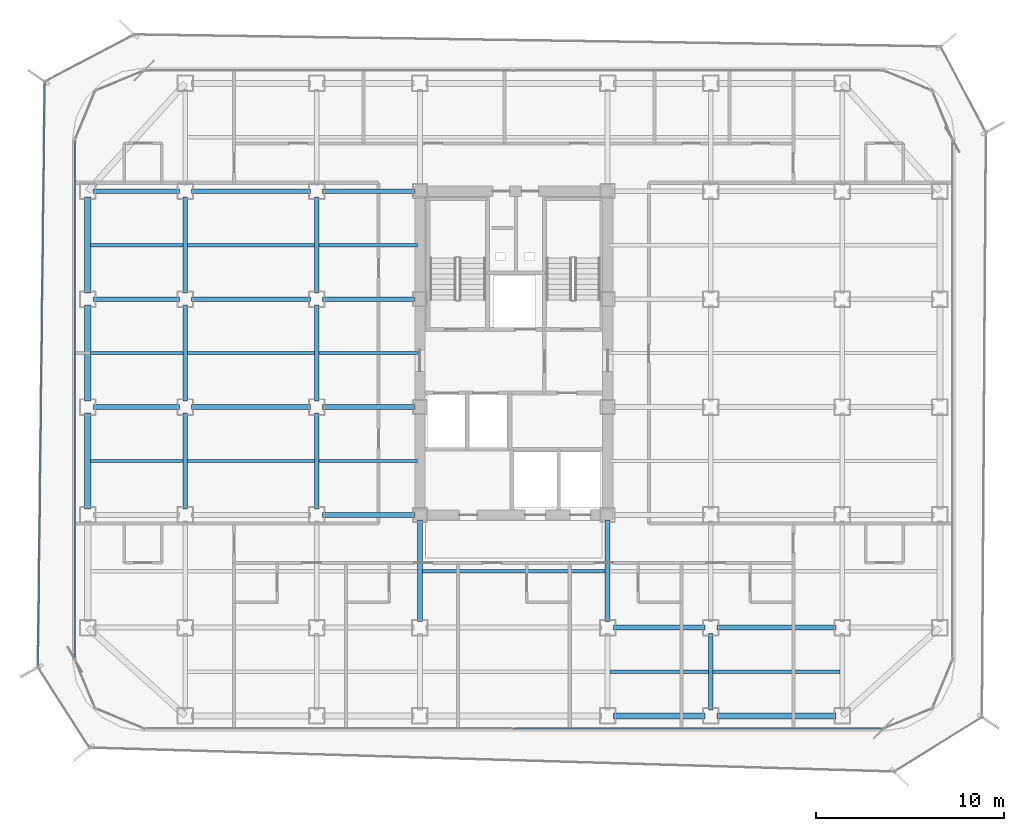
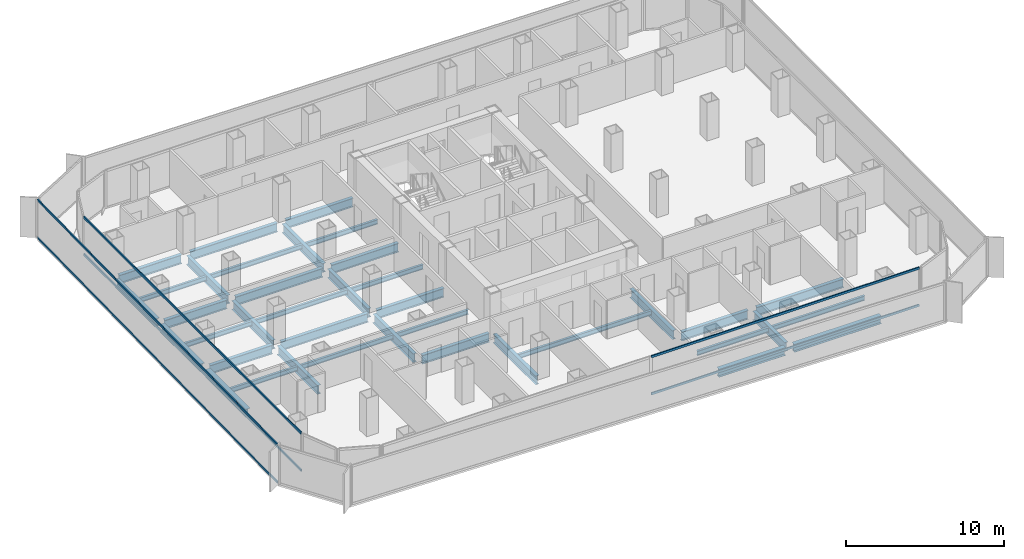
# One storey, part 5 of 21: 38 beams, 6 members, 3 elements without a shape of their own.
"""IFC4 building model written with IfcOpenShell, lengths in metres."""

from ifc_helpers import new_model, si_unit, direction, frame, origin, origin_2d, place, context, subcontext, project, spatial, hollow_rectangle, i_section, extrude, source, transform, mapped, material, layer, layer_set, material_profile, profile_set, type_object, element, aggregate, save


model = new_model("IFC4")

# Units and contexts
model_context = context("Model", 3, precision=1e-05, world=origin(), true_north=direction((0.0, 1.0)))
body_context = subcontext(model_context, "Body", "Model", "MODEL_VIEW")
ifc_project = project(units=[si_unit("LENGTHUNIT", "METRE"), si_unit("AREAUNIT", "SQUARE_METRE"), si_unit("VOLUMEUNIT", "CUBIC_METRE"), si_unit("PLANEANGLEUNIT", "RADIAN"), si_unit("MASSUNIT", "GRAM", prefix="KILO")], contexts=[model_context])

# Site, building, storey
site_placement = place(None, origin())
site = spatial("IfcSite", under=ifc_project, at=site_placement, CompositionType="ELEMENT")
building_placement = place(site_placement, origin())
building = spatial("IfcBuilding", under=site, at=building_placement, Name="Kolveth Station Tower", CompositionType="ELEMENT")
storey_placement = place(building_placement, frame((0.0, 0.0, 115.10009765625)))
storey = spatial("IfcBuildingStorey", under=building, at=storey_placement, Name="L31", CompositionType="ELEMENT", Elevation=115.10009765625)

# Beams
ifc_material_1 = material(Name="Steel S355", Category="steel")
ifc_material_profile_1 = material_profile(ifc_material_1, i_section(OverallWidth=0.323974609375, OverallDepth=0.611083984375, WebThickness=0.0126953125, FlangeThickness=0.01904296875, at=origin_2d()), Name="W610x155")
ifc_profile_set_1 = profile_set([ifc_material_profile_1], Name="Steel S355")
beam_type_1 = type_object("IfcBeamType", Name="Beam_SP2", PredefinedType="SPANDREL", material=ifc_profile_set_1)
shared_shape_1 = source(origin(), body_context, "Body", "SweptSolid", [
    extrude(i_section(OverallWidth=0.323974609375, OverallDepth=0.611083984375, WebThickness=0.0126953125, FlangeThickness=0.01904296875, at=origin_2d()), origin(), (0.0, 0.0, 1.0), 6.35986328125),
])
beam_1_placement = place(storey_placement, frame((34.320068359375, 0.800048828125, -0.5556640625), z_axis=(1.0, 0.0, 0.0), x_axis=(0.0, 1.0, 0.0)))
element("IfcBeam", 1, at=beam_1_placement, inside=storey, type_object=beam_type_1, Name="L31 Perimeter Spandrel BM-L31-PS-5", PredefinedType="SPANDREL", context=body_context, shape_type="MappedRepresentation", body=[
    mapped(shared_shape_1, transform((0.0, 0.0, 0.0), x_axis=(1.0, 0.0, 0.0), y_axis=(0.0, 1.0, 0.0), z_axis=(0.0, 0.0, 1.0), scale=1.0)),
])
shared_shape_2 = source(origin(), body_context, "Body", "SweptSolid", [
    extrude(i_section(OverallWidth=0.323974609375, OverallDepth=0.611083984375, WebThickness=0.0126953125, FlangeThickness=0.01904296875, at=origin_2d()), origin(), (0.0, 0.0, 1.0), 4.85986328125),
])
beam_2_placement = place(storey_placement, frame((28.820068359375, 0.800048828125, -0.5556640625), z_axis=(1.0, 0.0, 0.0), x_axis=(0.0, 1.0, 0.0)))
element("IfcBeam", 2, at=beam_2_placement, inside=storey, type_object=beam_type_1, Name="L31 Perimeter Spandrel BM-L31-PS-4", PredefinedType="SPANDREL", context=body_context, shape_type="MappedRepresentation", body=[
    mapped(shared_shape_2, transform((0.0, 0.0, 0.0), x_axis=(1.0, 0.0, 0.0), y_axis=(0.0, 1.0, 0.0), z_axis=(0.0, 0.0, 1.0), scale=1.0)),
])
shared_shape_3 = source(origin(), body_context, "Body", "SweptSolid", [
    extrude(i_section(OverallWidth=0.323974609375, OverallDepth=0.611083984375, WebThickness=0.0126953125, FlangeThickness=0.01904296875, at=origin_2d()), origin(), (0.0, 0.0, 1.0), 5.10986328125),
])
for number, where, z_axis, x_axis, name in (
    (3, (0.800048828125, 11.820068359375, -0.5556640625), (0.0, 1.0, 0.0), (-1.0, 0.0, 0.0), "L31 Perimeter Spandrel BM-L31-PW-2"),
    (4, (0.800048828125, 17.570068359375, -0.5556640625), (0.0, 1.0, 0.0), (-1.0, 0.0, 0.0), "L31 Perimeter Spandrel BM-L31-PW-3"),
    (5, (0.800048828125, 23.320068359375, -0.5556640625), (0.0, 1.0, 0.0), (-1.0, 0.0, 0.0), "L31 Perimeter Spandrel BM-L31-PW-4"),
):
    element("IfcBeam", number, at=place(storey_placement, frame(where, z_axis=z_axis, x_axis=x_axis)), inside=storey, type_object=beam_type_1, Name=name, PredefinedType="SPANDREL", context=body_context, shape_type="MappedRepresentation", body=[
        mapped(shared_shape_3, transform((0.0, 0.0, 0.0), x_axis=(1.0, 0.0, 0.0), y_axis=(0.0, 1.0, 0.0), z_axis=(0.0, 0.0, 1.0), scale=1.0)),
    ])
ifc_material_profile_2 = material_profile(ifc_material_1, i_section(OverallWidth=0.25390625, OverallDepth=0.68798828125, WebThickness=0.01318359375, FlangeThickness=0.02099609375, at=origin_2d()), Name="W690x152")
ifc_profile_set_2 = profile_set([ifc_material_profile_2], Name="Steel S355")
beam_type_2 = type_object("IfcBeamType", Name="Beam_B4", PredefinedType="BEAM", material=ifc_profile_set_2)
shared_shape_4 = source(origin(), body_context, "Body", "SweptSolid", [
    extrude(i_section(OverallWidth=0.25390625, OverallDepth=0.68798828125, WebThickness=0.01318359375, FlangeThickness=0.02099609375, at=origin_2d()), origin(), (0.0, 0.0, 1.0), 4.559814453125),
])
for number, where, z_axis, x_axis, name in (
    (6, (1.1201171875, 17.25, -0.593994140625), (1.0, 0.0, 0.0), (0.0, 1.0, 0.0), "L31 Primary Girder BM-L31-GY172-1"),
    (7, (1.1201171875, 23.0, -0.593994140625), (1.0, 0.0, 0.0), (0.0, 1.0, 0.0), "L31 Primary Girder BM-L31-GY230-1"),
    (8, (1.1201171875, 28.75, -0.593994140625), (1.0, 0.0, 0.0), (0.0, 1.0, 0.0), "L31 Primary Girder BM-L31-GY287-1"),
):
    element("IfcBeam", number, at=place(storey_placement, frame(where, z_axis=z_axis, x_axis=x_axis)), inside=storey, type_object=beam_type_2, Name=name, PredefinedType="BEAM", context=body_context, shape_type="MappedRepresentation", body=[
        mapped(shared_shape_4, transform((0.0, 0.0, 0.0), x_axis=(1.0, 0.0, 0.0), y_axis=(0.0, 1.0, 0.0), z_axis=(0.0, 0.0, 1.0), scale=1.0)),
    ])
shared_shape_5 = source(origin(), body_context, "Body", "SweptSolid", [
    extrude(i_section(OverallWidth=0.25390625, OverallDepth=0.68798828125, WebThickness=0.01318359375, FlangeThickness=0.02099609375, at=origin_2d()), origin(), (0.0, 0.0, 1.0), 6.35986328125),
])
for number, where, z_axis, x_axis, name in (
    (9, (34.320068359375, 5.5, -0.593994140625), (1.0, 0.0, 0.0), (0.0, 1.0, 0.0), "L31 Primary Girder BM-L31-GY55-6"),
    (10, (6.320068359375, 17.25, -0.593994140625), (1.0, 0.0, 0.0), (0.0, 1.0, 0.0), "L31 Primary Girder BM-L31-GY172-2"),
    (11, (6.320068359375, 23.0, -0.593994140625), (1.0, 0.0, 0.0), (0.0, 1.0, 0.0), "L31 Primary Girder BM-L31-GY230-2"),
    (12, (6.320068359375, 28.75, -0.593994140625), (1.0, 0.0, 0.0), (0.0, 1.0, 0.0), "L31 Primary Girder BM-L31-GY287-2"),
):
    element("IfcBeam", number, at=place(storey_placement, frame(where, z_axis=z_axis, x_axis=x_axis)), inside=storey, type_object=beam_type_2, Name=name, PredefinedType="BEAM", context=body_context, shape_type="MappedRepresentation", body=[
        mapped(shared_shape_5, transform((0.0, 0.0, 0.0), x_axis=(1.0, 0.0, 0.0), y_axis=(0.0, 1.0, 0.0), z_axis=(0.0, 0.0, 1.0), scale=1.0)),
    ])
shared_shape_6 = source(origin(), body_context, "Body", "SweptSolid", [
    extrude(i_section(OverallWidth=0.25390625, OverallDepth=0.68798828125, WebThickness=0.01318359375, FlangeThickness=0.02099609375, at=origin_2d()), origin(), (0.0, 0.0, 1.0), 4.85986328125),
])
beam_3_placement = place(storey_placement, frame((28.820068359375, 5.5, -0.593994140625), z_axis=(1.0, 0.0, 0.0), x_axis=(0.0, 1.0, 0.0)))
element("IfcBeam", 13, at=beam_3_placement, inside=storey, type_object=beam_type_2, Name="L31 Primary Girder BM-L31-GY55-5", PredefinedType="BEAM", context=body_context, shape_type="MappedRepresentation", body=[
    mapped(shared_shape_6, transform((0.0, 0.0, 0.0), x_axis=(1.0, 0.0, 0.0), y_axis=(0.0, 1.0, 0.0), z_axis=(0.0, 0.0, 1.0), scale=1.0)),
])
shared_shape_7 = source(origin(), body_context, "Body", "SweptSolid", [
    extrude(i_section(OverallWidth=0.25390625, OverallDepth=0.68798828125, WebThickness=0.01318359375, FlangeThickness=0.02099609375, at=origin_2d()), origin(), (0.0, 0.0, 1.0), 4.89990234375),
])
for number, where, z_axis, x_axis, name in (
    (14, (13.320068359375, 11.5, -0.593994140625), (1.0, 0.0, 0.0), (0.0, 1.0, 0.0), "L31 Primary Girder BM-L31-GY115-3"),
    (15, (13.320068359375, 17.25, -0.593994140625), (1.0, 0.0, 0.0), (0.0, 1.0, 0.0), "L31 Primary Girder BM-L31-GY172-3"),
    (16, (13.320068359375, 23.0, -0.593994140625), (1.0, 0.0, 0.0), (0.0, 1.0, 0.0), "L31 Primary Girder BM-L31-GY230-3"),
    (17, (13.320068359375, 28.75, -0.593994140625), (1.0, 0.0, 0.0), (0.0, 1.0, 0.0), "L31 Primary Girder BM-L31-GY287-3"),
):
    element("IfcBeam", number, at=place(storey_placement, frame(where, z_axis=z_axis, x_axis=x_axis)), inside=storey, type_object=beam_type_2, Name=name, PredefinedType="BEAM", context=body_context, shape_type="MappedRepresentation", body=[
        mapped(shared_shape_7, transform((0.0, 0.0, 0.0), x_axis=(1.0, 0.0, 0.0), y_axis=(0.0, 1.0, 0.0), z_axis=(0.0, 0.0, 1.0), scale=1.0)),
    ])
shared_shape_8 = source(origin(), body_context, "Body", "SweptSolid", [
    extrude(i_section(OverallWidth=0.25390625, OverallDepth=0.68798828125, WebThickness=0.01318359375, FlangeThickness=0.02099609375, at=origin_2d()), origin(), (0.0, 0.0, 1.0), 4.059814453125),
])
beam_4_placement = place(storey_placement, frame((34.0, 1.1201171875, -0.593994140625), z_axis=(0.0, 1.0, 0.0), x_axis=(-1.0, 0.0, 0.0)))
element("IfcBeam", 18, at=beam_4_placement, inside=storey, type_object=beam_type_2, Name="L31 Primary Girder BM-L31-GX340-1", PredefinedType="BEAM", context=body_context, shape_type="MappedRepresentation", body=[
    mapped(shared_shape_8, transform((0.0, 0.0, 0.0), x_axis=(1.0, 0.0, 0.0), y_axis=(0.0, 1.0, 0.0), z_axis=(0.0, 0.0, 1.0), scale=1.0)),
])
shared_shape_9 = source(origin(), body_context, "Body", "SweptSolid", [
    extrude(i_section(OverallWidth=0.25390625, OverallDepth=0.68798828125, WebThickness=0.01318359375, FlangeThickness=0.02099609375, at=origin_2d()), origin(), (0.0, 0.0, 1.0), 5.10986328125),
])
for number, where, z_axis, x_axis, name in (
    (19, (6.0, 11.820068359375, -0.593994140625), (0.0, 1.0, 0.0), (-1.0, 0.0, 0.0), "L31 Primary Girder BM-L31-GX60-3"),
    (20, (6.0, 17.570068359375, -0.593994140625), (0.0, 1.0, 0.0), (-1.0, 0.0, 0.0), "L31 Primary Girder BM-L31-GX60-4"),
    (21, (6.0, 23.320068359375, -0.593994140625), (0.0, 1.0, 0.0), (-1.0, 0.0, 0.0), "L31 Primary Girder BM-L31-GX60-5"),
    (22, (13.0, 11.820068359375, -0.593994140625), (0.0, 1.0, 0.0), (-1.0, 0.0, 0.0), "L31 Primary Girder BM-L31-GX130-3"),
    (23, (13.0, 17.570068359375, -0.593994140625), (0.0, 1.0, 0.0), (-1.0, 0.0, 0.0), "L31 Primary Girder BM-L31-GX130-4"),
    (24, (13.0, 23.320068359375, -0.593994140625), (0.0, 1.0, 0.0), (-1.0, 0.0, 0.0), "L31 Primary Girder BM-L31-GX130-5"),
):
    element("IfcBeam", number, at=place(storey_placement, frame(where, z_axis=z_axis, x_axis=x_axis)), inside=storey, type_object=beam_type_2, Name=name, PredefinedType="BEAM", context=body_context, shape_type="MappedRepresentation", body=[
        mapped(shared_shape_9, transform((0.0, 0.0, 0.0), x_axis=(1.0, 0.0, 0.0), y_axis=(0.0, 1.0, 0.0), z_axis=(0.0, 0.0, 1.0), scale=1.0)),
    ])
shared_shape_10 = source(origin(), body_context, "Body", "SweptSolid", [
    extrude(i_section(OverallWidth=0.25390625, OverallDepth=0.68798828125, WebThickness=0.01318359375, FlangeThickness=0.02099609375, at=origin_2d()), origin(), (0.0, 0.0, 1.0), 5.39990234375),
])
for number, where, z_axis, x_axis, name in (
    (25, (18.5, 5.820068359375, -0.593994140625), (0.0, 1.0, 0.0), (-1.0, 0.0, 0.0), "L31 Primary Girder BM-L31-GX185-2"),
    (26, (28.5, 5.820068359375, -0.593994140625), (0.0, 1.0, 0.0), (-1.0, 0.0, 0.0), "L31 Primary Girder BM-L31-GX285-2"),
):
    element("IfcBeam", number, at=place(storey_placement, frame(where, z_axis=z_axis, x_axis=x_axis)), inside=storey, type_object=beam_type_2, Name=name, PredefinedType="BEAM", context=body_context, shape_type="MappedRepresentation", body=[
        mapped(shared_shape_10, transform((0.0, 0.0, 0.0), x_axis=(1.0, 0.0, 0.0), y_axis=(0.0, 1.0, 0.0), z_axis=(0.0, 0.0, 1.0), scale=1.0)),
    ])
ifc_material_profile_3 = material_profile(ifc_material_1, i_section(OverallWidth=0.1708984375, OverallDepth=0.35205078125, WebThickness=0.0068359375, FlangeThickness=0.009765625, at=origin_2d()), Name="W360x44")
ifc_profile_set_3 = profile_set([ifc_material_profile_3], Name="Steel S355")
beam_type_3 = type_object("IfcBeamType", Name="Beam_J2", PredefinedType="JOIST", material=ifc_profile_set_3)
shared_shape_11 = source(origin(), body_context, "Body", "SweptSolid", [
    extrude(i_section(OverallWidth=0.1708984375, OverallDepth=0.35205078125, WebThickness=0.0068359375, FlangeThickness=0.009765625, at=origin_2d()), origin(), (0.0, 0.0, 1.0), 4.9150390625),
])
for number, where, z_axis, x_axis, name in (
    (27, (0.9599609375, 14.375, -0.426025390625), (1.0, 0.0, 0.0), (0.0, 1.0, 0.0), "L31 Secondary Joist JST-L31-1-3"),
    (28, (0.9599609375, 20.125, -0.426025390625), (1.0, 0.0, 0.0), (0.0, 1.0, 0.0), "L31 Secondary Joist JST-L31-1-4"),
    (29, (0.9599609375, 25.875, -0.426025390625), (1.0, 0.0, 0.0), (0.0, 1.0, 0.0), "L31 Secondary Joist JST-L31-1-5"),
):
    element("IfcBeam", number, at=place(storey_placement, frame(where, z_axis=z_axis, x_axis=x_axis)), inside=storey, type_object=beam_type_3, Name=name, PredefinedType="JOIST", context=body_context, shape_type="MappedRepresentation", body=[
        mapped(shared_shape_11, transform((0.0, 0.0, 0.0), x_axis=(1.0, 0.0, 0.0), y_axis=(0.0, 1.0, 0.0), z_axis=(0.0, 0.0, 1.0), scale=1.0)),
    ])
shared_shape_12 = source(origin(), body_context, "Body", "SweptSolid", [
    extrude(i_section(OverallWidth=0.1708984375, OverallDepth=0.35205078125, WebThickness=0.0068359375, FlangeThickness=0.009765625, at=origin_2d()), origin(), (0.0, 0.0, 1.0), 6.75),
])
for number, where, z_axis, x_axis, name in (
    (30, (6.125, 14.375, -0.426025390625), (1.0, 0.0, 0.0), (0.0, 1.0, 0.0), "L31 Secondary Joist JST-L31-2-3"),
    (31, (6.125, 20.125, -0.426025390625), (1.0, 0.0, 0.0), (0.0, 1.0, 0.0), "L31 Secondary Joist JST-L31-2-4"),
    (32, (6.125, 25.875, -0.426025390625), (1.0, 0.0, 0.0), (0.0, 1.0, 0.0), "L31 Secondary Joist JST-L31-2-5"),
    (33, (34.125, 3.14990234375, -0.426025390625), (1.0, 0.0, 0.0), (0.0, 1.0, 0.0), "L31 Secondary Joist JST-L31-6-1"),
):
    element("IfcBeam", number, at=place(storey_placement, frame(where, z_axis=z_axis, x_axis=x_axis)), inside=storey, type_object=beam_type_3, Name=name, PredefinedType="JOIST", context=body_context, shape_type="MappedRepresentation", body=[
        mapped(shared_shape_12, transform((0.0, 0.0, 0.0), x_axis=(1.0, 0.0, 0.0), y_axis=(0.0, 1.0, 0.0), z_axis=(0.0, 0.0, 1.0), scale=1.0)),
    ])
shared_shape_13 = source(origin(), body_context, "Body", "SweptSolid", [
    extrude(i_section(OverallWidth=0.1708984375, OverallDepth=0.35205078125, WebThickness=0.0068359375, FlangeThickness=0.009765625, at=origin_2d()), origin(), (0.0, 0.0, 1.0), 5.25),
])
for number, where, z_axis, x_axis, name in (
    (34, (13.125, 14.375, -0.426025390625), (1.0, 0.0, 0.0), (0.0, 1.0, 0.0), "L31 Secondary Joist JST-L31-3-3"),
    (35, (13.125, 20.125, -0.426025390625), (1.0, 0.0, 0.0), (0.0, 1.0, 0.0), "L31 Secondary Joist JST-L31-3-4"),
    (36, (13.125, 25.875, -0.426025390625), (1.0, 0.0, 0.0), (0.0, 1.0, 0.0), "L31 Secondary Joist JST-L31-3-5"),
    (37, (28.625, 3.14990234375, -0.426025390625), (1.0, 0.0, 0.0), (0.0, 1.0, 0.0), "L31 Secondary Joist JST-L31-5-1"),
):
    element("IfcBeam", number, at=place(storey_placement, frame(where, z_axis=z_axis, x_axis=x_axis)), inside=storey, type_object=beam_type_3, Name=name, PredefinedType="JOIST", context=body_context, shape_type="MappedRepresentation", body=[
        mapped(shared_shape_13, transform((0.0, 0.0, 0.0), x_axis=(1.0, 0.0, 0.0), y_axis=(0.0, 1.0, 0.0), z_axis=(0.0, 0.0, 1.0), scale=1.0)),
    ])
shared_shape_14 = source(origin(), body_context, "Body", "SweptSolid", [
    extrude(i_section(OverallWidth=0.1708984375, OverallDepth=0.35205078125, WebThickness=0.0068359375, FlangeThickness=0.009765625, at=origin_2d()), origin(), (0.0, 0.0, 1.0), 9.75),
])
beam_5_placement = place(storey_placement, frame((18.625, 8.5, -0.426025390625), z_axis=(1.0, 0.0, 0.0), x_axis=(0.0, 1.0, 0.0)))
element("IfcBeam", 38, at=beam_5_placement, inside=storey, type_object=beam_type_3, Name="L31 Secondary Joist JST-L31-4-2", PredefinedType="JOIST", context=body_context, shape_type="MappedRepresentation", body=[
    mapped(shared_shape_14, transform((0.0, 0.0, 0.0), x_axis=(1.0, 0.0, 0.0), y_axis=(0.0, 1.0, 0.0), z_axis=(0.0, 0.0, 1.0), scale=1.0)),
])

# Curtain wall, members
ifc_material_2 = material(Name="Aluminium 6063-T6 and low-E dark glass", Category="aluminium")
ifc_layer_1 = layer(ifc_material_2, 0.18994140625)
ifc_layer_set_1 = layer_set([ifc_layer_1], Name="Aluminium 6063-T6 and low-E dark glass")
curtain_wall_type_1 = type_object("IfcCurtainWallType", Name="CurtainWall_CW-Z2", PredefinedType="NOTDEFINED", material=ifc_layer_set_1)
curtain_wall_1_placement = place(storey_placement, origin())
curtain_wall_1 = element("IfcCurtainWall", 39, at=curtain_wall_1_placement, inside=storey, type_object=curtain_wall_type_1, Name="L31 Inner Thermal Curtain Wall 9", PredefinedType="NOTDEFINED")
ifc_material_3 = material(Name="Black anodized aluminium 6063-T6", Category="aluminium")
ifc_material_profile_4 = material_profile(ifc_material_3, hollow_rectangle(XDim=0.080078125, YDim=0.169921875, WallThickness=0.0048828125, at=origin_2d()), Name="ALU-80x170x5")
ifc_profile_set_4 = profile_set([ifc_material_profile_4], Name="Black anodized aluminium 6063-T6")
member_type_1 = type_object("IfcMemberType", Name="Transom_TR2", PredefinedType="USERDEFINED", material=ifc_profile_set_4)
shared_shape_15 = source(origin(), body_context, "Body", "SweptSolid", [
    extrude(hollow_rectangle(XDim=0.080078125, YDim=0.169921875, WallThickness=0.0048828125, at=origin_2d()), origin(), (0.0, 0.0, 1.0), 27.5400390625),
])
member_1_placement = place(storey_placement, frame((0.1201171875, 31.419921875, 0.039794921875), z_axis=(0.0, -1.0, 0.0), x_axis=(1.0, 0.0, 0.0)))
member_1 = element("IfcMember", 40, at=member_1_placement, type_object=member_type_1, Name="CW-Z2 transom 1.1", ObjectType="TRANSOM", PredefinedType="USERDEFINED", context=body_context, shape_type="MappedRepresentation", body=[
    mapped(shared_shape_15, transform((0.0, 0.0, 0.0), x_axis=(1.0, 0.0, 0.0), y_axis=(0.0, 1.0, 0.0), z_axis=(0.0, 0.0, 1.0), scale=1.0)),
])
member_2_placement = place(storey_placement, frame((0.1201171875, 31.419921875, 2.909912109375), z_axis=(0.0, -1.0, 0.0), x_axis=(1.0, 0.0, 0.0)))
member_2 = element("IfcMember", 41, at=member_2_placement, type_object=member_type_1, Name="CW-Z2 transom 1.2", ObjectType="TRANSOM", PredefinedType="USERDEFINED", context=body_context, shape_type="MappedRepresentation", body=[
    mapped(shared_shape_15, transform((0.0, 0.0, 0.0), x_axis=(1.0, 0.0, 0.0), y_axis=(0.0, 1.0, 0.0), z_axis=(0.0, 0.0, 1.0), scale=1.0)),
])
aggregate(curtain_wall_1, [member_1, member_2])

curtain_wall_2_placement = place(storey_placement, origin())
curtain_wall_2 = element("IfcCurtainWall", 42, at=curtain_wall_2_placement, inside=storey, type_object=curtain_wall_type_1, Name="L31 Inner Thermal Curtain Wall 12", PredefinedType="NOTDEFINED")
shared_shape_16 = source(origin(), body_context, "Body", "SweptSolid", [
    extrude(hollow_rectangle(XDim=0.080078125, YDim=0.169921875, WallThickness=0.0048828125, at=origin_2d()), origin(), (0.0, 0.0, 1.0), 19.580078125),
])
member_3_placement = place(storey_placement, frame((23.5400390625, 0.1201171875, 0.039794921875), z_axis=(1.0, 0.0, 0.0), x_axis=(0.0, 1.0, 0.0)))
member_3 = element("IfcMember", 43, at=member_3_placement, type_object=member_type_1, Name="CW-Z2 transom 2.1", ObjectType="TRANSOM", PredefinedType="USERDEFINED", context=body_context, shape_type="MappedRepresentation", body=[
    mapped(shared_shape_16, transform((0.0, 0.0, 0.0), x_axis=(1.0, 0.0, 0.0), y_axis=(0.0, 1.0, 0.0), z_axis=(0.0, 0.0, 1.0), scale=1.0)),
])
member_4_placement = place(storey_placement, frame((23.5400390625, 0.1201171875, 2.909912109375), z_axis=(1.0, 0.0, 0.0), x_axis=(0.0, 1.0, 0.0)))
member_4 = element("IfcMember", 44, at=member_4_placement, type_object=member_type_1, Name="CW-Z2 transom 2.2", ObjectType="TRANSOM", PredefinedType="USERDEFINED", context=body_context, shape_type="MappedRepresentation", body=[
    mapped(shared_shape_16, transform((0.0, 0.0, 0.0), x_axis=(1.0, 0.0, 0.0), y_axis=(0.0, 1.0, 0.0), z_axis=(0.0, 0.0, 1.0), scale=1.0)),
])
aggregate(curtain_wall_2, [member_3, member_4])

ifc_material_4 = material(Name="Black anodized aluminium 6063-T6 and dark solar glass", Category="aluminium")
ifc_layer_2 = layer(ifc_material_4, 0.159912109375)
ifc_layer_set_2 = layer_set([ifc_layer_2], Name="Black anodized aluminium 6063-T6 and dark solar glass")
curtain_wall_type_2 = type_object("IfcCurtainWallType", Name="OUTER SKIN CW-OS", PredefinedType="NOTDEFINED", material=ifc_layer_set_2)
curtain_wall_3_placement = place(storey_placement, origin())
curtain_wall_3 = element("IfcCurtainWall", 45, at=curtain_wall_3_placement, inside=storey, type_object=curtain_wall_type_2, Name="L31 Outer Ventilated Skin Curtain Wall 6", PredefinedType="NOTDEFINED")
ifc_material_profile_5 = material_profile(ifc_material_3, hollow_rectangle(XDim=0.080078125, YDim=0.14990234375, WallThickness=0.0048828125, at=origin_2d()), Name="ALU-80x150x5")
ifc_profile_set_5 = profile_set([ifc_material_profile_5], Name="Black anodized aluminium 6063-T6")
member_type_2 = type_object("IfcMemberType", Name="Transom_TR-OS", PredefinedType="USERDEFINED", material=ifc_profile_set_5)
shared_shape_17 = source(origin(), body_context, "Body", "SweptSolid", [
    extrude(hollow_rectangle(XDim=0.080078125, YDim=0.14990234375, WallThickness=0.0048828125, at=origin_2d()), origin(), (0.0, 0.0, 1.0), 31.02490234375),
])
member_5_placement = place(storey_placement, frame((-1.4892578125, 34.50048828125, 0.039794921875), z_axis=(-0.011544048531, -0.999933365252, 0.0), x_axis=(0.999933365252, -0.011544048531, 0.0)))
member_5 = element("IfcMember", 46, at=member_5_placement, type_object=member_type_2, Name="CW-OS transom 1.1", ObjectType="TRANSOM", PredefinedType="USERDEFINED", context=body_context, shape_type="MappedRepresentation", body=[
    mapped(shared_shape_17, transform((0.0, 0.0, 0.0), x_axis=(1.0, 0.0, 0.0), y_axis=(0.0, 1.0, 0.0), z_axis=(0.0, 0.0, 1.0), scale=1.0)),
])
member_6_placement = place(storey_placement, frame((-1.4892578125, 34.50048828125, 2.949951171875), z_axis=(-0.011544048531, -0.999933365252, 0.0), x_axis=(0.999933365252, -0.011544048531, 0.0)))
member_6 = element("IfcMember", 47, at=member_6_placement, type_object=member_type_2, Name="CW-OS transom 1.2", ObjectType="TRANSOM", PredefinedType="USERDEFINED", context=body_context, shape_type="MappedRepresentation", body=[
    mapped(shared_shape_17, transform((0.0, 0.0, 0.0), x_axis=(1.0, 0.0, 0.0), y_axis=(0.0, 1.0, 0.0), z_axis=(0.0, 0.0, 1.0), scale=1.0)),
])
aggregate(curtain_wall_3, [member_5, member_6])

save(model, "model.ifc")
